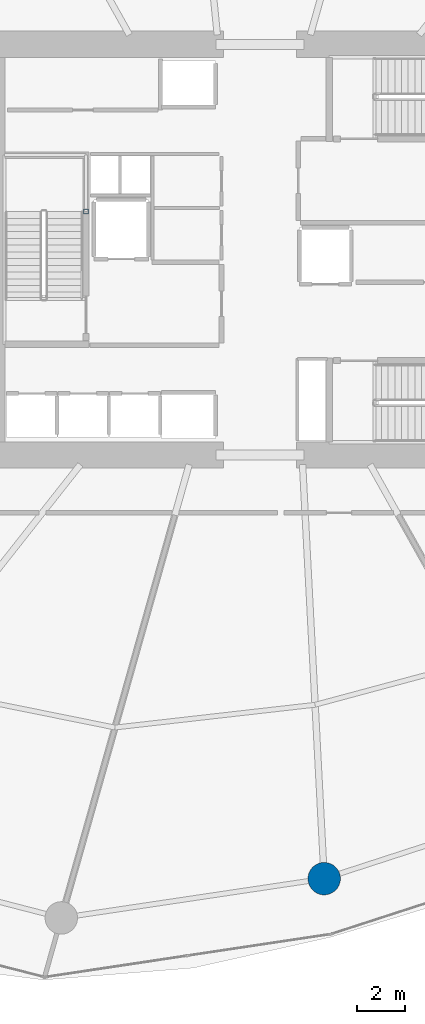
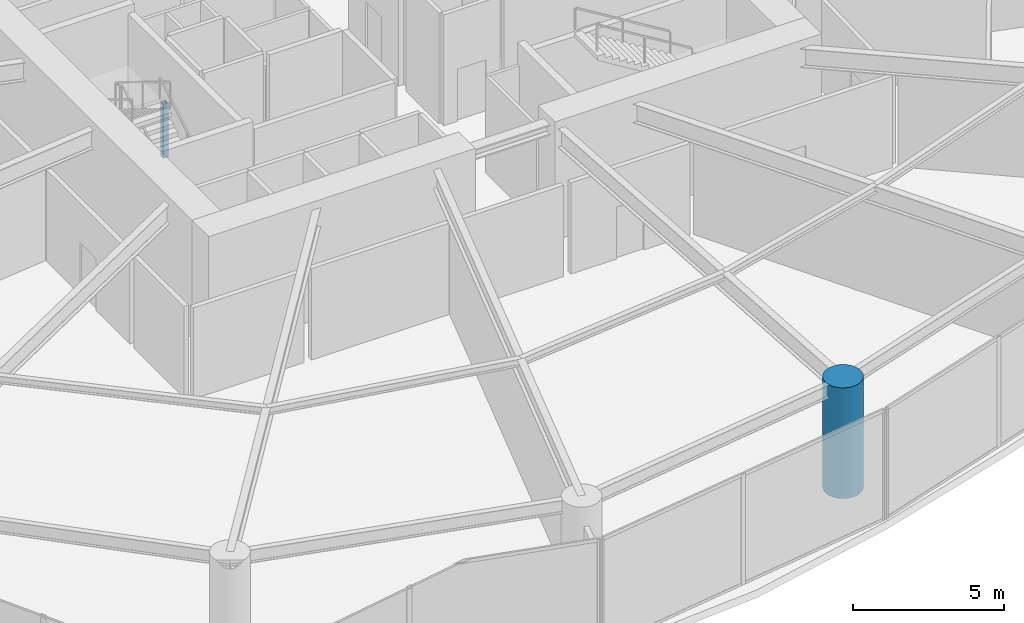
# One storey, part 2 of 22: 2 columns.
"""IFC4 building model written with IfcOpenShell, lengths in metres."""

from ifc_helpers import new_model, si_unit, direction, frame, origin, origin_2d, place, context, subcontext, project, spatial, hollow_rectangle, circle, extrude, material, material_profile, profile_set, type_object, element, save


model = new_model("IFC4")

# Units and contexts
model_context = context("Model", 3, precision=1e-05, world=origin(), true_north=direction((0.0, 1.0)))
body_context = subcontext(model_context, "Body", "Model", "MODEL_VIEW")
ifc_project = project(units=[si_unit("LENGTHUNIT", "METRE"), si_unit("AREAUNIT", "SQUARE_METRE"), si_unit("VOLUMEUNIT", "CUBIC_METRE"), si_unit("PLANEANGLEUNIT", "RADIAN"), si_unit("MASSUNIT", "GRAM", prefix="KILO")], contexts=[model_context])

# Site, building, storey
site_placement = place(None, origin())
site = spatial("IfcSite", under=ifc_project, at=site_placement, CompositionType="ELEMENT")
building_placement = place(site_placement, origin())
building = spatial("IfcBuilding", under=site, at=building_placement, Name="Kazma Halo Residences", CompositionType="ELEMENT")
storey_placement = place(building_placement, frame((0.0, 0.0, 12.0)))
storey = spatial("IfcBuildingStorey", under=building, at=storey_placement, Name="L02", CompositionType="ELEMENT", Elevation=12.0)

# Columns
ifc_material_1 = material(Name="Steel S355", Category="steel")
ifc_material_profile_1 = material_profile(ifc_material_1, hollow_rectangle(XDim=0.199951171875, YDim=0.199951171875, WallThickness=0.010009765625, InnerFilletRadius=0.010009765625, OuterFilletRadius=0.02001953125, at=origin_2d()), Name="SHS200x200x10")
ifc_profile_set_1 = profile_set([ifc_material_profile_1], Name="Steel S355")
column_type_1 = type_object("IfcColumnType", Name="COL-LP-SHS200", PredefinedType="COLUMN", material=ifc_profile_set_1)
column_1_placement = place(storey_placement, frame((41.179931640625, 43.590087890625, 0.0), z_axis=(0.0, 0.0, 1.0), x_axis=(1.0, 0.0, 0.0)))
element("IfcColumn", 1, at=column_1_placement, inside=storey, type_object=column_type_1, Name="L02 ST-01 landing pilaster 1", PredefinedType="COLUMN", context=body_context, shape_type="SweptSolid", body=[
    extrude(hollow_rectangle(XDim=0.199951171875, YDim=0.199951171875, WallThickness=0.010009765625, InnerFilletRadius=0.010009765625, OuterFilletRadius=0.02001953125, at=origin_2d()), origin(), (0.0, 0.0, 1.0), 2.195068359375),
])
ifc_material_2 = material(Name="Concrete C80/95", Category="concrete")
ifc_material_profile_2 = material_profile(ifc_material_2, circle(Radius=0.675048828125, at=origin_2d()), Name="CIRC1350")
ifc_profile_set_2 = profile_set([ifc_material_profile_2], Name="Concrete C80/95")
column_type_2 = type_object("IfcColumnType", Name="COL-PERIM-1350", PredefinedType="COLUMN", material=ifc_profile_set_2)
column_2_placement = place(storey_placement, frame((51.1005859375, 15.803955078125, 0.0), z_axis=(0.0, 0.0, 1.0), x_axis=(1.0, 0.0, 0.0)))
element("IfcColumn", 2, at=column_2_placement, inside=storey, type_object=column_type_2, Name="L02 perimeter ring column P12", PredefinedType="COLUMN", context=body_context, shape_type="SweptSolid", body=[
    extrude(circle(Radius=0.675048828125, at=origin_2d()), origin(), (0.0, 0.0, 1.0), 4.47998046875),
])

save(model, "model.ifc")
